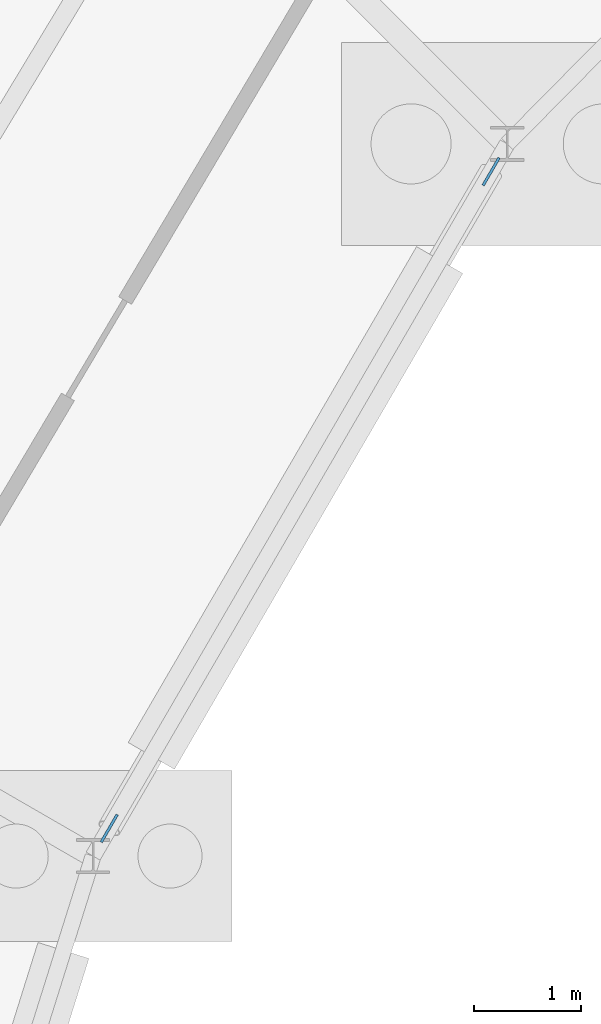
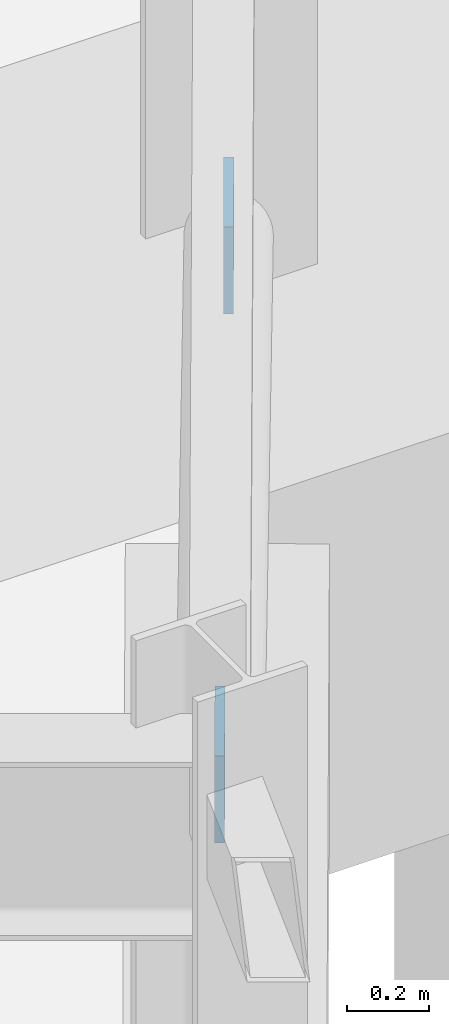
# One storey, part 38 of 58: 2 plates.
"""IFC4 building model written with IfcOpenShell, lengths in metres."""

from ifc_helpers import new_model, si_unit, direction, frame, origin, origin_2d, place, context, subcontext, project, spatial, rectangle, extrude, material, layer, layer_set, type_object, element, save


model = new_model("IFC4")

# Units and contexts
model_context = context("Model", 3, precision=1e-05, world=origin(), true_north=direction((0.0, 1.0)))
body_context = subcontext(model_context, "Body", "Model", "MODEL_VIEW")
ifc_project = project(units=[si_unit("LENGTHUNIT", "METRE"), si_unit("AREAUNIT", "SQUARE_METRE"), si_unit("VOLUMEUNIT", "CUBIC_METRE"), si_unit("PLANEANGLEUNIT", "RADIAN"), si_unit("MASSUNIT", "GRAM", prefix="KILO")], contexts=[model_context])

# Site, building, storey
site_placement = place(None, origin())
site = spatial("IfcSite", under=ifc_project, at=site_placement, CompositionType="ELEMENT")
building_placement = place(site_placement, origin())
building = spatial("IfcBuilding", under=site, at=building_placement, Name="Karori Crest Natural Sciences Institute", CompositionType="ELEMENT")
storey_placement = place(building_placement, frame((0.0, 0.0, -4.199951171875)))
storey = spatial("IfcBuildingStorey", under=building, at=storey_placement, Name="B1", CompositionType="ELEMENT", Elevation=-4.199951171875)

# Plates
ifc_material = material(Name="Structural steel AS/NZS 3679.1 Grade 350", Category="steel")
ifc_layer = layer(ifc_material, 0.02490234375, Name="Structural steel AS/NZS 3679.1 Grade 350")
ifc_layer_set = layer_set([ifc_layer], Name="Structural steel AS/NZS 3679.1 Grade 350")
plate_type = type_object("IfcPlateType", Name="PLT-06", PredefinedType="SHEET", material=ifc_layer_set)
for number, where, z_axis, x_axis, name in (
    (1, (48.995849609375, 72.409423828125, 0.12060546875), (0.0, 0.0, 1.0), (0.502651840669, 0.86448893982, 0.0), "Brace gusset plate EP-0003"),
    (2, (45.419921875, 66.25927734375, 3.5205078125), (0.0, 0.0, 1.0), (0.502651840669, 0.86448893982, 0.0), "Brace gusset plate EP-0004"),
):
    element("IfcPlate", number, at=place(storey_placement, frame(where, z_axis=z_axis, x_axis=x_axis)), inside=storey, type_object=plate_type, Name=name, PredefinedType="SHEET", context=body_context, shape_type="SweptSolid", body=[
        extrude(rectangle(XDim=0.299072265625, YDim=0.02490234375, at=origin_2d()), origin(), (0.0, 0.0, 1.0), 0.259033203125),
    ])

save(model, "model.ifc")
